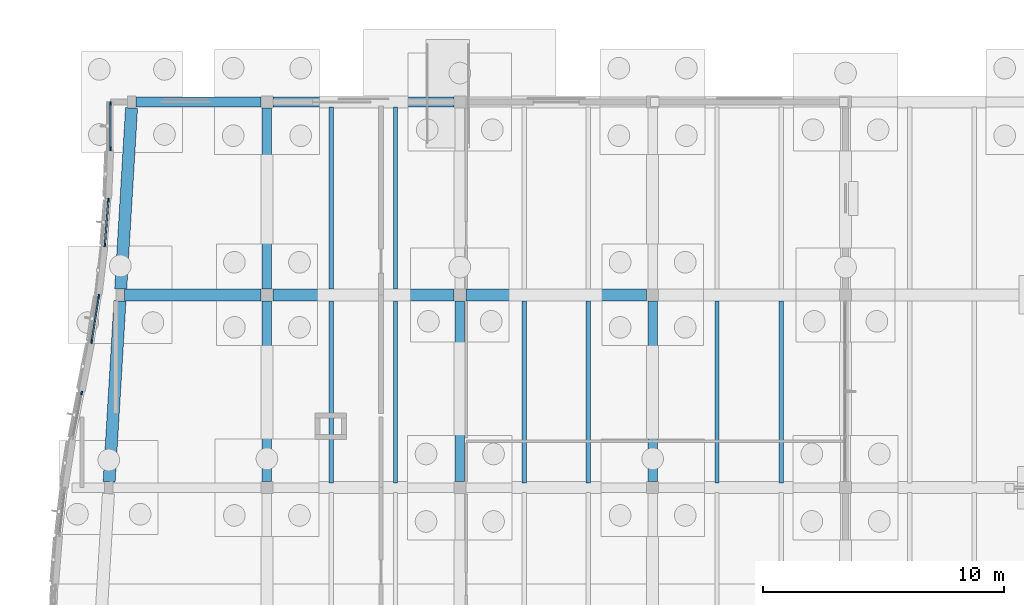
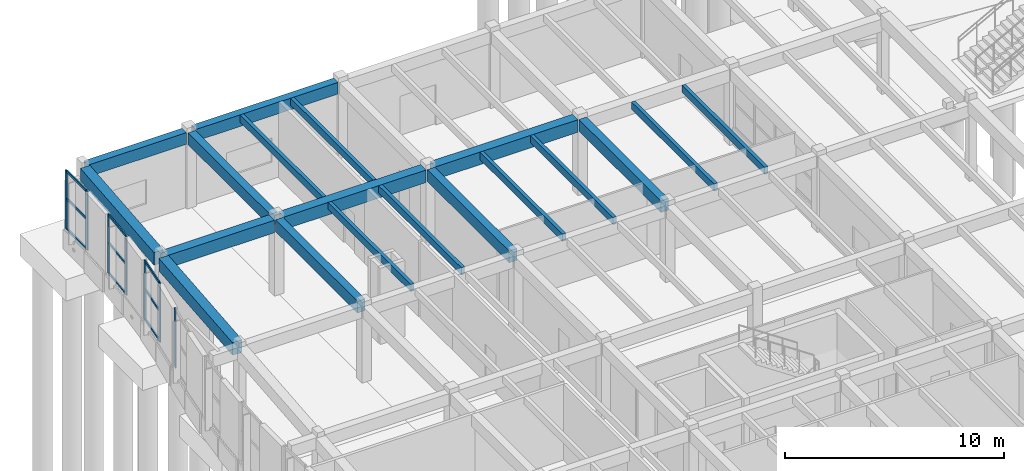
# One storey, part 26 of 99: 19 beams, 16 members, 4 elements without a shape of their own.
"""IFC4 building model written with IfcOpenShell, lengths in metres."""

from ifc_helpers import new_model, si_unit, direction, frame, origin, origin_2d, place, context, subcontext, project, spatial, rectangle, extrude, material, layer, layer_set, material_profile, profile_set, type_object, element, aggregate, save


model = new_model("IFC4")

# Units and contexts
model_context = context("Model", 3, precision=1e-05, world=origin(), true_north=direction((0.0, 1.0)))
body_context = subcontext(model_context, "Body", "Model", "MODEL_VIEW")
ifc_project = project(units=[si_unit("LENGTHUNIT", "METRE"), si_unit("AREAUNIT", "SQUARE_METRE"), si_unit("VOLUMEUNIT", "CUBIC_METRE"), si_unit("PLANEANGLEUNIT", "RADIAN"), si_unit("MASSUNIT", "GRAM", prefix="KILO")], contexts=[model_context])

# Site, building, storey
site_placement = place(None, origin())
site = spatial("IfcSite", under=ifc_project, at=site_placement, CompositionType="ELEMENT")
building_placement = place(site_placement, origin())
building = spatial("IfcBuilding", under=site, at=building_placement, Name="Tonlespit Floodbar School", CompositionType="ELEMENT")
storey_placement = place(building_placement, origin())
storey = spatial("IfcBuildingStorey", under=building, at=storey_placement, Name="L00", CompositionType="ELEMENT", Elevation=0.0)

# Beams
ifc_material_1 = material(Name="Concrete C40/50", Category="concrete")
ifc_material_profile_1 = material_profile(ifc_material_1, rectangle(XDim=0.39990234375, YDim=0.64990234375, at=origin_2d()), Name="RC 400x650")
ifc_profile_set_1 = profile_set([ifc_material_profile_1], Name="Concrete C40/50")
beam_type_1 = type_object("IfcBeamType", Name="Beam_RC_400x650", PredefinedType="BEAM", material=ifc_profile_set_1)
beam_1_placement = place(storey_placement, frame((6.574951171875, 96.0, 3.9150390625), z_axis=(1.0, 0.0, 0.0), x_axis=(0.0, 1.0, 0.0)))
element("IfcBeam", 1, at=beam_1_placement, inside=storey, type_object=beam_type_1, Name="L00 girder 0107", PredefinedType="BEAM", context=body_context, shape_type="SweptSolid", body=[
    extrude(rectangle(XDim=0.39990234375, YDim=0.64990234375, at=origin_2d()), origin(), (0.0, 0.0, 1.0), 5.175048828125),
])
for number, where, z_axis, x_axis, name in (
    (2, (12.25, 96.0, 3.9150390625), (1.0, 0.0, 0.0), (0.0, 1.0, 0.0), "L00 girder 0108"),
    (3, (12.0, 80.25, 3.9150390625), (0.0, 1.0, 0.0), (-1.0, 0.0, 0.0), "L00 girder 0182"),
    (4, (12.0, 88.25, 3.9150390625), (0.0, 1.0, 0.0), (-1.0, 0.0, 0.0), "L00 girder 0183"),
    (5, (20.0, 80.25, 3.9150390625), (0.0, 1.0, 0.0), (-1.0, 0.0, 0.0), "L00 girder 0195"),
    (6, (28.0, 80.25, 3.9150390625), (0.0, 1.0, 0.0), (-1.0, 0.0, 0.0), "L00 girder 0207"),
):
    element("IfcBeam", number, at=place(storey_placement, frame(where, z_axis=z_axis, x_axis=x_axis)), inside=storey, type_object=beam_type_1, Name=name, PredefinedType="BEAM", context=body_context, shape_type="SweptSolid", body=[
        extrude(rectangle(XDim=0.39990234375, YDim=0.64990234375, at=origin_2d()), origin(), (0.0, 0.0, 1.0), 7.5),
    ])

# Curtain wall, member
ifc_material_2 = material(Name="Anodised Aluminium", Category="aluminium")
ifc_layer_1 = layer(ifc_material_2, 0.159912109375)
ifc_layer_set_1 = layer_set([ifc_layer_1], Name="Anodised Aluminium")
curtain_wall_type_1 = type_object("IfcCurtainWallType", Name="CurtainWall_1950x3300", PredefinedType="NOTDEFINED", material=ifc_layer_set_1)
curtain_wall_1_placement = place(storey_placement, origin())
curtain_wall_1 = element("IfcCurtainWall", 7, at=curtain_wall_1_placement, inside=storey, type_object=curtain_wall_type_1, Name="L00 unitised curtain wall 0262", PredefinedType="NOTDEFINED")
ifc_material_profile_2 = material_profile(ifc_material_2, rectangle(XDim=0.06494140625, YDim=0.14990234375, at=origin_2d()), Name="ALU M65x150")
ifc_profile_set_2 = profile_set([ifc_material_profile_2], Name="Anodised Aluminium")
member_type_1 = type_object("IfcMemberType", Name="CW_Mullion_65x150", PredefinedType="MULLION", material=ifc_profile_set_2)
member_1_placement = place(storey_placement, frame((4.316162109375, 83.9287109375, 0.949951171875), z_axis=(0.0, 0.0, 1.0), x_axis=(-0.981347015734, 0.192244726092, 0.0)))
member_1 = element("IfcMember", 8, at=member_1_placement, type_object=member_type_1, Name="CW-01 mullion 2", PredefinedType="MULLION", context=body_context, shape_type="SweptSolid", body=[
    extrude(rectangle(XDim=0.06494140625, YDim=0.14990234375, at=origin_2d()), origin(), (0.0, 0.0, 1.0), 3.2900390625),
])
aggregate(curtain_wall_1, [member_1])

# Curtain wall, members
curtain_wall_2_placement = place(storey_placement, origin())
curtain_wall_2 = element("IfcCurtainWall", 9, at=curtain_wall_2_placement, inside=storey, type_object=curtain_wall_type_1, Name="L00 unitised curtain wall 0264", PredefinedType="NOTDEFINED")
member_2_placement = place(storey_placement, frame((5.2763671875, 90.072265625, 0.949951171875), z_axis=(0.0, 0.0, 1.0), x_axis=(-0.996877534245, 0.078963166836, 0.0)))
member_2 = element("IfcMember", 10, at=member_2_placement, type_object=member_type_1, Name="CW-01 mullion 1", PredefinedType="MULLION", context=body_context, shape_type="SweptSolid", body=[
    extrude(rectangle(XDim=0.06494140625, YDim=0.14990234375, at=origin_2d()), origin(), (0.0, 0.0, 1.0), 3.2900390625),
])
member_3_placement = place(storey_placement, frame((5.42333984375, 91.927734375, 0.949951171875), z_axis=(0.0, 0.0, 1.0), x_axis=(-0.996877534245, 0.078963166836, 0.0)))
member_3 = element("IfcMember", 11, at=member_3_placement, type_object=member_type_1, Name="CW-01 mullion 2", PredefinedType="MULLION", context=body_context, shape_type="SweptSolid", body=[
    extrude(rectangle(XDim=0.06494140625, YDim=0.14990234375, at=origin_2d()), origin(), (0.0, 0.0, 1.0), 3.2900390625),
])

curtain_wall_3_placement = place(storey_placement, origin())
curtain_wall_3 = element("IfcCurtainWall", 12, at=curtain_wall_3_placement, inside=storey, type_object=curtain_wall_type_1, Name="L00 unitised curtain wall 0263", PredefinedType="NOTDEFINED")
ifc_material_profile_3 = material_profile(ifc_material_2, rectangle(XDim=0.06494140625, YDim=0.179931640625, at=origin_2d()), Name="ALU M65x180")
ifc_profile_set_3 = profile_set([ifc_material_profile_3], Name="Anodised Aluminium")
member_type_2 = type_object("IfcMemberType", Name="CW_Mullion_65x180", PredefinedType="MULLION", material=ifc_profile_set_3)
member_4_placement = place(storey_placement, frame((4.73291015625, 86.071533203125, 0.949951171875), z_axis=(0.0, 0.0, 1.0), x_axis=(-0.987961482869, 0.154700059367, 0.0)))
member_4 = element("IfcMember", 13, at=member_4_placement, type_object=member_type_2, Name="CW-01 mullion 1", PredefinedType="MULLION", context=body_context, shape_type="SweptSolid", body=[
    extrude(rectangle(XDim=0.06494140625, YDim=0.179931640625, at=origin_2d()), origin(), (0.0, 0.0, 1.0), 3.2900390625),
])
member_5_placement = place(storey_placement, frame((5.023681640625, 87.928466796875, 0.949951171875), z_axis=(0.0, 0.0, 1.0), x_axis=(-0.987961482869, 0.154700059367, 0.0)))
member_5 = element("IfcMember", 14, at=member_5_placement, type_object=member_type_2, Name="CW-01 mullion 2", PredefinedType="MULLION", context=body_context, shape_type="SweptSolid", body=[
    extrude(rectangle(XDim=0.06494140625, YDim=0.179931640625, at=origin_2d()), origin(), (0.0, 0.0, 1.0), 3.2900390625),
])

ifc_layer_2 = layer(ifc_material_2, 0.159912109375)
ifc_layer_set_2 = layer_set([ifc_layer_2], Name="Anodised Aluminium")
curtain_wall_type_2 = type_object("IfcCurtainWallType", Name="CurtainWall_1900x3300", PredefinedType="NOTDEFINED", material=ifc_layer_set_2)
curtain_wall_4_placement = place(storey_placement, origin())
curtain_wall_4 = element("IfcCurtainWall", 15, at=curtain_wall_4_placement, inside=storey, type_object=curtain_wall_type_2, Name="L00 unitised curtain wall 0265", PredefinedType="NOTDEFINED")
member_6_placement = place(storey_placement, frame((5.5107421875, 94.072509765625, 0.949951171875), z_axis=(0.0, 0.0, 1.0), x_axis=(-0.99999760743, 0.00218749477, 0.0)))
member_6 = element("IfcMember", 16, at=member_6_placement, type_object=member_type_2, Name="CW-02 mullion 1", PredefinedType="MULLION", context=body_context, shape_type="SweptSolid", body=[
    extrude(rectangle(XDim=0.06494140625, YDim=0.179931640625, at=origin_2d()), origin(), (0.0, 0.0, 1.0), 3.2900390625),
])
member_7_placement = place(storey_placement, frame((5.514892578125, 95.927490234375, 0.949951171875), z_axis=(0.0, 0.0, 1.0), x_axis=(-0.99999760743, 0.00218749477, 0.0)))
member_7 = element("IfcMember", 17, at=member_7_placement, type_object=member_type_2, Name="CW-02 mullion 2", PredefinedType="MULLION", context=body_context, shape_type="SweptSolid", body=[
    extrude(rectangle(XDim=0.06494140625, YDim=0.179931640625, at=origin_2d()), origin(), (0.0, 0.0, 1.0), 3.2900390625),
])

# Member
ifc_material_profile_4 = material_profile(ifc_material_2, rectangle(XDim=0.06494140625, YDim=0.1201171875, at=origin_2d()), Name="ALU T65x120")
ifc_profile_set_4 = profile_set([ifc_material_profile_4], Name="Anodised Aluminium")
member_type_3 = type_object("IfcMemberType", Name="CW_Transom_65x120", PredefinedType="USERDEFINED", material=ifc_profile_set_4)
member_8_placement = place(storey_placement, frame((5.279052734375, 90.104736328125, 0.982421875), z_axis=(0.0788375696, 0.996887474904, 0.0), x_axis=(-0.996887474904, 0.0788375696, 0.0)))
member_8 = element("IfcMember", 18, at=member_8_placement, type_object=member_type_3, Name="CW-01 transom 1.1", ObjectType="TRANSOM", PredefinedType="USERDEFINED", context=body_context, shape_type="SweptSolid", body=[
    extrude(rectangle(XDim=0.06494140625, YDim=0.1201171875, at=origin_2d()), origin(), (0.0, 0.0, 1.0), 1.796142578125),
])

member_9_placement = place(storey_placement, frame((5.279052734375, 90.104736328125, 2.660888671875), z_axis=(0.0788375696, 0.996887474904, 0.0), x_axis=(-0.996887474904, 0.0788375696, 0.0)))
member_9 = element("IfcMember", 19, at=member_9_placement, type_object=member_type_3, Name="CW-01 transom 1.2", ObjectType="TRANSOM", PredefinedType="USERDEFINED", context=body_context, shape_type="SweptSolid", body=[
    extrude(rectangle(XDim=0.06494140625, YDim=0.1201171875, at=origin_2d()), origin(), (0.0, 0.0, 1.0), 1.796142578125),
])

member_10_placement = place(storey_placement, frame((5.279052734375, 90.104736328125, 4.20751953125), z_axis=(0.0788375696, 0.996887474904, 0.0), x_axis=(-0.996887474904, 0.0788375696, 0.0)))
member_10 = element("IfcMember", 20, at=member_10_placement, type_object=member_type_3, Name="CW-01 transom 1.3", ObjectType="TRANSOM", PredefinedType="USERDEFINED", context=body_context, shape_type="SweptSolid", body=[
    extrude(rectangle(XDim=0.06494140625, YDim=0.1201171875, at=origin_2d()), origin(), (0.0, 0.0, 1.0), 1.796142578125),
])

aggregate(curtain_wall_2, [member_2, member_3, member_8, member_9, member_10])

ifc_material_profile_5 = material_profile(ifc_material_2, rectangle(XDim=0.06494140625, YDim=0.139892578125, at=origin_2d()), Name="ALU T65x140")
ifc_profile_set_5 = profile_set([ifc_material_profile_5], Name="Anodised Aluminium")
member_type_4 = type_object("IfcMemberType", Name="CW_Transom_65x140", PredefinedType="USERDEFINED", material=ifc_profile_set_5)
member_11_placement = place(storey_placement, frame((4.738037109375, 86.103759765625, 0.982421875), z_axis=(0.154746305682, 0.987954240275, 0.0), x_axis=(-0.987954240275, 0.154746305682, 0.0)))
member_11 = element("IfcMember", 21, at=member_11_placement, type_object=member_type_4, Name="CW-01 transom 1.1", ObjectType="TRANSOM", PredefinedType="USERDEFINED", context=body_context, shape_type="SweptSolid", body=[
    extrude(rectangle(XDim=0.06494140625, YDim=0.139892578125, at=origin_2d()), origin(), (0.0, 0.0, 1.0), 1.814453125),
])

member_12_placement = place(storey_placement, frame((4.738037109375, 86.103759765625, 2.660888671875), z_axis=(0.154746305682, 0.987954240275, 0.0), x_axis=(-0.987954240275, 0.154746305682, 0.0)))
member_12 = element("IfcMember", 22, at=member_12_placement, type_object=member_type_4, Name="CW-01 transom 1.2", ObjectType="TRANSOM", PredefinedType="USERDEFINED", context=body_context, shape_type="SweptSolid", body=[
    extrude(rectangle(XDim=0.06494140625, YDim=0.139892578125, at=origin_2d()), origin(), (0.0, 0.0, 1.0), 1.814453125),
])

member_13_placement = place(storey_placement, frame((4.738037109375, 86.103759765625, 4.20751953125), z_axis=(0.154746305682, 0.987954240275, 0.0), x_axis=(-0.987954240275, 0.154746305682, 0.0)))
member_13 = element("IfcMember", 23, at=member_13_placement, type_object=member_type_4, Name="CW-01 transom 1.3", ObjectType="TRANSOM", PredefinedType="USERDEFINED", context=body_context, shape_type="SweptSolid", body=[
    extrude(rectangle(XDim=0.06494140625, YDim=0.139892578125, at=origin_2d()), origin(), (0.0, 0.0, 1.0), 1.814453125),
])

aggregate(curtain_wall_3, [member_4, member_5, member_11, member_12, member_13])

member_14_placement = place(storey_placement, frame((5.5107421875, 94.10498046875, 0.982421875), z_axis=(0.002182209752, 0.999997618977, 0.0), x_axis=(-0.999997618977, 0.002182209752, 0.0)))
member_14 = element("IfcMember", 24, at=member_14_placement, type_object=member_type_4, Name="CW-02 transom 1.1", ObjectType="TRANSOM", PredefinedType="USERDEFINED", context=body_context, shape_type="SweptSolid", body=[
    extrude(rectangle(XDim=0.06494140625, YDim=0.139892578125, at=origin_2d()), origin(), (0.0, 0.0, 1.0), 1.7900390625),
])

member_15_placement = place(storey_placement, frame((5.5107421875, 94.10498046875, 2.660888671875), z_axis=(0.002182209752, 0.999997618977, 0.0), x_axis=(-0.999997618977, 0.002182209752, 0.0)))
member_15 = element("IfcMember", 25, at=member_15_placement, type_object=member_type_4, Name="CW-02 transom 1.2", ObjectType="TRANSOM", PredefinedType="USERDEFINED", context=body_context, shape_type="SweptSolid", body=[
    extrude(rectangle(XDim=0.06494140625, YDim=0.139892578125, at=origin_2d()), origin(), (0.0, 0.0, 1.0), 1.7900390625),
])

member_16_placement = place(storey_placement, frame((5.5107421875, 94.10498046875, 4.20751953125), z_axis=(0.002182209752, 0.999997618977, 0.0), x_axis=(-0.999997618977, 0.002182209752, 0.0)))
member_16 = element("IfcMember", 26, at=member_16_placement, type_object=member_type_4, Name="CW-02 transom 1.3", ObjectType="TRANSOM", PredefinedType="USERDEFINED", context=body_context, shape_type="SweptSolid", body=[
    extrude(rectangle(XDim=0.06494140625, YDim=0.139892578125, at=origin_2d()), origin(), (0.0, 0.0, 1.0), 1.7900390625),
])

aggregate(curtain_wall_4, [member_6, member_7, member_14, member_15, member_16])

# Beams
ifc_material_3 = material(Name="Glulam GL28h", Category="wood")
ifc_material_profile_6 = material_profile(ifc_material_3, rectangle(XDim=0.179931640625, YDim=0.39990234375, at=origin_2d()), Name="GL 180x400")
ifc_profile_set_6 = profile_set([ifc_material_profile_6], Name="Glulam GL28h")
beam_type_2 = type_object("IfcBeamType", Name="Joist_GL_180x400", PredefinedType="JOIST", material=ifc_profile_set_6)
for number, where, z_axis, x_axis, name in (
    (27, (14.666748046875, 80.199951171875, 4.0400390625), (0.0, 1.0, 0.0), (-1.0, 0.0, 0.0), "L00 secondary joist 0456"),
    (28, (17.333251953125, 80.199951171875, 4.0400390625), (0.0, 1.0, 0.0), (-1.0, 0.0, 0.0), "L00 secondary joist 0457"),
    (29, (22.666748046875, 80.199951171875, 4.0400390625), (0.0, 1.0, 0.0), (-1.0, 0.0, 0.0), "L00 secondary joist 0458"),
    (30, (25.333251953125, 80.199951171875, 4.0400390625), (0.0, 1.0, 0.0), (-1.0, 0.0, 0.0), "L00 secondary joist 0459"),
    (31, (30.666748046875, 80.199951171875, 4.0400390625), (0.0, 1.0, 0.0), (-1.0, 0.0, 0.0), "L00 secondary joist 0460"),
    (32, (33.333251953125, 80.199951171875, 4.0400390625), (0.0, 1.0, 0.0), (-1.0, 0.0, 0.0), "L00 secondary joist 0461"),
    (33, (14.666748046875, 88.25, 4.0400390625), (0.0, 1.0, 0.0), (-1.0, 0.0, 0.0), "L00 secondary joist 0464"),
    (34, (17.333251953125, 88.25, 4.0400390625), (0.0, 1.0, 0.0), (-1.0, 0.0, 0.0), "L00 secondary joist 0465"),
):
    element("IfcBeam", number, at=place(storey_placement, frame(where, z_axis=z_axis, x_axis=x_axis)), inside=storey, type_object=beam_type_2, Name=name, PredefinedType="JOIST", context=body_context, shape_type="SweptSolid", body=[
        extrude(rectangle(XDim=0.179931640625, YDim=0.39990234375, at=origin_2d()), origin(), (0.0, 0.0, 1.0), 7.550048828125),
    ])
ifc_material_profile_7 = material_profile(ifc_material_1, rectangle(XDim=0.5, YDim=0.699951171875, at=origin_2d()), Name="RC 500x700")
ifc_profile_set_7 = profile_set([ifc_material_profile_7], Name="Concrete C40/50")
beam_type_3 = type_object("IfcBeamType", Name="Spandrel_RC_500x700", PredefinedType="SPANDREL", material=ifc_profile_set_7)
beam_2_placement = place(storey_placement, frame((6.094970703125, 88.0, 3.889892578125), z_axis=(1.0, 0.0, 0.0), x_axis=(0.0, 1.0, 0.0)))
element("IfcBeam", 35, at=beam_2_placement, inside=storey, type_object=beam_type_3, Name="L00 girder 0091", PredefinedType="SPANDREL", context=body_context, shape_type="SweptSolid", body=[
    extrude(rectangle(XDim=0.5, YDim=0.699951171875, at=origin_2d()), origin(), (0.0, 0.0, 1.0), 5.655029296875),
])
for number, where, z_axis, x_axis, name in (
    (36, (12.25, 88.0, 3.889892578125), (1.0, 0.0, 0.0), (0.0, 1.0, 0.0), "L00 girder 0092"),
    (37, (20.25, 88.0, 3.889892578125), (1.0, 0.0, 0.0), (0.0, 1.0, 0.0), "L00 girder 0093"),
):
    element("IfcBeam", number, at=place(storey_placement, frame(where, z_axis=z_axis, x_axis=x_axis)), inside=storey, type_object=beam_type_3, Name=name, PredefinedType="SPANDREL", context=body_context, shape_type="SweptSolid", body=[
        extrude(rectangle(XDim=0.5, YDim=0.699951171875, at=origin_2d()), origin(), (0.0, 0.0, 1.0), 7.5),
    ])
for number, where, z_axis, x_axis, name in (
    (38, (5.455078125, 80.24951171875, 3.889892578125), (0.059878046645, 0.998205700009, 0.0), (-0.998205700009, 0.059878046645, 0.0), "L00 splayed edge spandrel 0333"),
    (39, (5.93505859375, 88.24951171875, 3.889892578125), (0.059878046645, 0.998205700009, 0.0), (-0.998205700009, 0.059878046645, 0.0), "L00 splayed edge spandrel 0334"),
):
    element("IfcBeam", number, at=place(storey_placement, frame(where, z_axis=z_axis, x_axis=x_axis)), inside=storey, type_object=beam_type_3, Name=name, PredefinedType="SPANDREL", context=body_context, shape_type="SweptSolid", body=[
        extrude(rectangle(XDim=0.5, YDim=0.699951171875, at=origin_2d()), origin(), (0.0, 0.0, 1.0), 7.514404296875),
    ])

save(model, "model.ifc")
